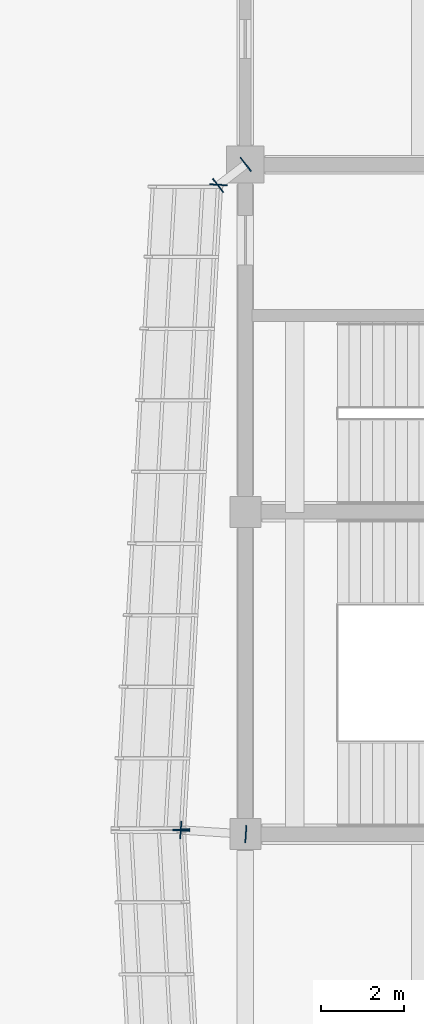
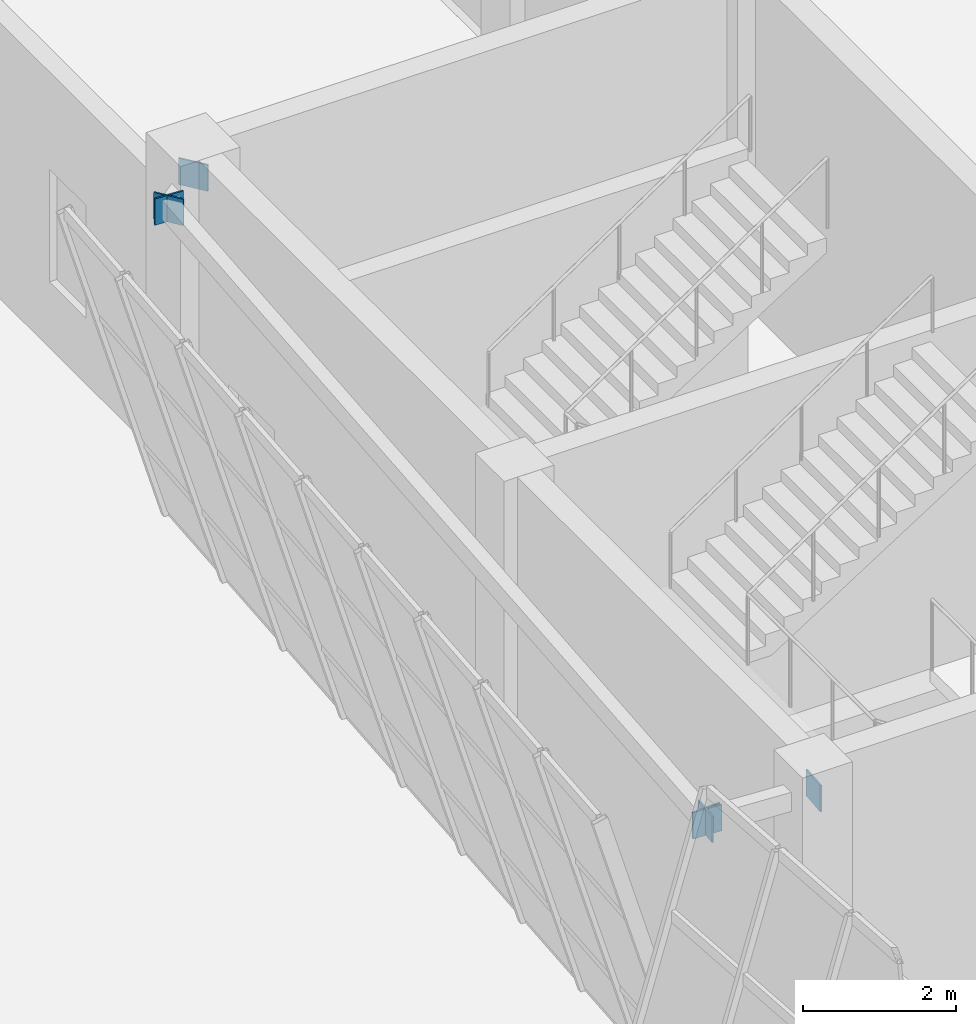
# One storey, part 57 of 78: 7 plates.
"""IFC4 building model written with IfcOpenShell, lengths in metres."""

from ifc_helpers import new_model, si_unit, direction, frame, origin, origin_2d, place, context, subcontext, project, spatial, rectangle, extrude, material, layer, layer_set, type_object, element, save


model = new_model("IFC4")

# Units and contexts
model_context = context("Model", 3, precision=1e-05, world=origin(), true_north=direction((0.0, 1.0)))
body_context = subcontext(model_context, "Body", "Model", "MODEL_VIEW")
ifc_project = project(units=[si_unit("LENGTHUNIT", "METRE"), si_unit("AREAUNIT", "SQUARE_METRE"), si_unit("VOLUMEUNIT", "CUBIC_METRE"), si_unit("PLANEANGLEUNIT", "RADIAN"), si_unit("MASSUNIT", "GRAM", prefix="KILO")], contexts=[model_context])

# Site, building, storey
site_placement = place(None, origin())
site = spatial("IfcSite", under=ifc_project, at=site_placement, CompositionType="ELEMENT")
building_placement = place(site_placement, origin())
building = spatial("IfcBuilding", under=site, at=building_placement, Name="Pellamere Symphony Hall", CompositionType="ELEMENT")
storey_placement = place(building_placement, origin())
storey = spatial("IfcBuildingStorey", under=building, at=storey_placement, Name="L00", CompositionType="ELEMENT", Elevation=0.0)

# Plates
ifc_material = material(Name="Steel CSA G40.21 350W", Category="steel")
ifc_layer = layer(ifc_material, 0.02490234375, Name="Steel CSA G40.21 350W")
ifc_layer_set = layer_set([ifc_layer], Name="Steel CSA G40.21 350W")
plate_type = type_object("IfcPlateType", Name="Steel Connection Plate KP-01 420x420x25", PredefinedType="SHEET", material=ifc_layer_set)
for number, where, z_axis, x_axis, name in (
    (1, (49.750732421875, 93.112060546875, 4.630126953125), (0.0, 0.0, 1.0), (-0.05756402696, -0.998341816614, 0.0), "Crystal Spandrel End Cap Plate CW-CR15-1 (L00)"),
    (2, (48.849365234375, 77.488037109375, 4.630126953125), (0.0, 0.0, 1.0), (-0.05756402696, -0.998341816614, 0.0), "Crystal Spandrel End Cap Plate CW-CR15-2 (L00)"),
    (3, (50.409423828125, 93.607421875, 4.630126953125), (0.0, 0.0, 1.0), (-0.792609005996, -0.609730238396, 0.0), "Outrigger End Cap Plate 082.1 (L00)"),
    (4, (49.740478515625, 93.0927734375, 4.630126953125), (0.0, 0.0, 1.0), (-0.792609005996, -0.609730238396, 0.0), "Outrigger End Cap Plate 082.2 (L00)"),
    (5, (50.412109375, 77.399169921875, 4.630126953125), (0.0, 0.0, 1.0), (-0.997926866086, 0.064358138139, 0.0), "Outrigger End Cap Plate 083.1 (L00)"),
    (6, (48.837890625, 77.500732421875, 4.630126953125), (0.0, 0.0, 1.0), (-0.997926866086, 0.064358138139, 0.0), "Outrigger End Cap Plate 083.2 (L00)"),
    (7, (48.849365234375, 77.511962890625, 4.630126953125), (0.0, 0.0, 1.0), (0.057215536424, -0.998361849427, 0.0), "Crystal Spandrel End Cap Plate CW-CR16-1 (L00)"),
):
    element("IfcPlate", number, at=place(storey_placement, frame(where, z_axis=z_axis, x_axis=x_axis)), inside=storey, type_object=plate_type, Name=name, PredefinedType="SHEET", context=body_context, shape_type="SweptSolid", body=[
        extrude(rectangle(XDim=0.02490234375, YDim=0.419921875, at=origin_2d()), origin(), (0.0, 0.0, 1.0), 0.419921875),
    ])

save(model, "model.ifc")
